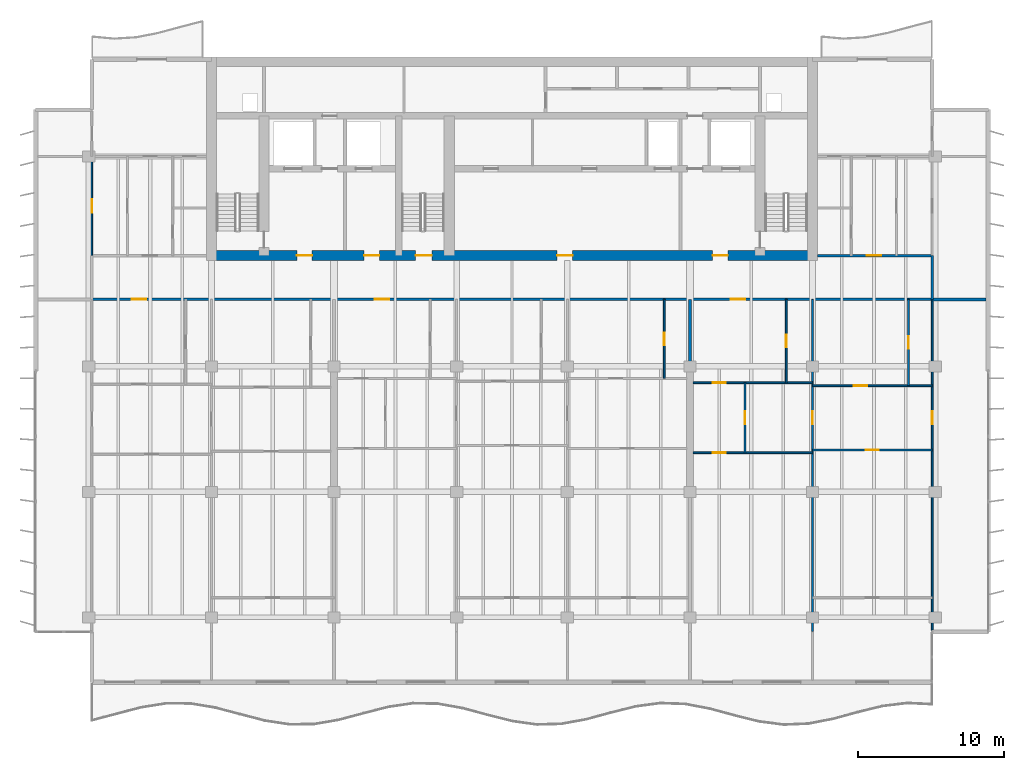
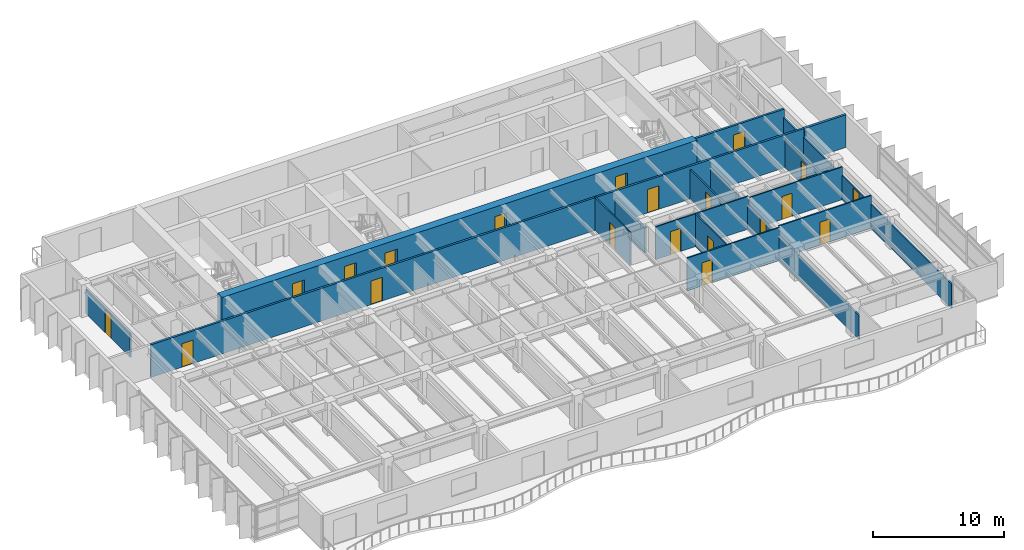
# One storey, part 10 of 17: 20 doors, 17 walls, 20 openings.
"""IFC4 building model written with IfcOpenShell, lengths in metres."""

from ifc_helpers import new_model, si_unit, direction, frame, frame_2d, origin, place, context, subcontext, project, spatial, rectangle, extrude, material, layer, layer_set, type_object, element, fill, save


model = new_model("IFC4")

# Units and contexts
model_context = context("Model", 3, precision=1e-05, world=origin(), true_north=direction((0.0, 1.0)))
body_context = subcontext(model_context, "Body", "Model", "MODEL_VIEW")
ifc_project = project(units=[si_unit("LENGTHUNIT", "METRE"), si_unit("AREAUNIT", "SQUARE_METRE"), si_unit("VOLUMEUNIT", "CUBIC_METRE"), si_unit("PLANEANGLEUNIT", "RADIAN"), si_unit("MASSUNIT", "GRAM", prefix="KILO")], contexts=[model_context])

# Site, building, storey
site_placement = place(None, origin())
site = spatial("IfcSite", under=ifc_project, at=site_placement, CompositionType="ELEMENT")
building_placement = place(site_placement, origin())
building = spatial("IfcBuilding", under=site, at=building_placement, Name="Caelmar Bay Residences", CompositionType="ELEMENT")
storey_placement = place(building_placement, frame((0.0, 0.0, 204.89990234375)))
storey = spatial("IfcBuildingStorey", under=building, at=storey_placement, Name="L57", CompositionType="ELEMENT", Elevation=204.89990234375)

# Wall, openings, doors
ifc_material_1 = material(Name="Concrete f'c 55 MPa (8,000 psi)", Category="concrete")
ifc_layer_1 = layer(ifc_material_1, 0.699951171875)
ifc_layer_set_1 = layer_set([ifc_layer_1], Name="Concrete f'c 55 MPa (8,000 psi)")
wall_type_1 = type_object("IfcWallType", Name="SW-COR-700", PredefinedType="SHEAR", material=ifc_layer_set_1)
wall_1_placement = place(storey_placement, frame((17.949951171875, 37.0, 0.0), z_axis=(0.0, 0.0, 1.0), x_axis=(1.0, 0.0, 0.0)))
wall_1 = element("IfcWall", 1, at=wall_1_placement, inside=storey, type_object=wall_type_1, Name="L57 Rear Core South Shear Wall", PredefinedType="SHEAR", context=body_context, shape_type="SweptSolid", body=[
    extrude(rectangle(XDim=41.900146484375, YDim=0.699951171875, at=frame_2d((20.9501953125, 0.0))), origin(), (0.0, 0.0, 1.0), 3.050048828125),
])
opening_1_placement = place(wall_1_placement, frame((14.35009765625, 0.0, 0.0)))
opening_1 = element("IfcOpeningElement", 2, at=opening_1_placement, cuts=wall_1, Name="Opening D-L57-105", PredefinedType="OPENING", context=body_context, shape_type="SweptSolid", body=[
    extrude(rectangle(XDim=1.10009765625, YDim=2.14990234375, at=frame_2d((0.550048828125, 1.074951171875))), frame((0.0, 0.35986328125, 0.0), z_axis=(0.0, -1.0, 0.0), x_axis=(1.0, 0.0, 0.0)), (0.0, 0.0, 1.0), 0.719970703125),
])
opening_2_placement = place(wall_1_placement, frame((6.199951171875, 0.0, 0.0)))
opening_2 = element("IfcOpeningElement", 3, at=opening_2_placement, cuts=wall_1, Name="Opening D-L57-106", PredefinedType="OPENING", context=body_context, shape_type="SweptSolid", body=[
    extrude(rectangle(XDim=1.050048828125, YDim=2.14990234375, at=frame_2d((0.52490234375, 1.074951171875))), frame((0.0, 0.35986328125, 0.0), z_axis=(0.0, -1.0, 0.0), x_axis=(1.0, 0.0, 0.0)), (0.0, 0.0, 1.0), 0.719970703125),
])
opening_3_placement = place(wall_1_placement, frame((34.699951171875, 0.0, 0.0)))
opening_3 = element("IfcOpeningElement", 4, at=opening_3_placement, cuts=wall_1, Name="Opening D-L57-109", PredefinedType="OPENING", context=body_context, shape_type="SweptSolid", body=[
    extrude(rectangle(XDim=1.050048828125, YDim=2.14990234375, at=frame_2d((0.52490234375, 1.074951171875))), frame((0.0, 0.35986328125, 0.0), z_axis=(0.0, -1.0, 0.0), x_axis=(1.0, 0.0, 0.0)), (0.0, 0.0, 1.0), 0.719970703125),
])
opening_4_placement = place(wall_1_placement, frame((10.8125, 0.0, 0.0)))
opening_4 = element("IfcOpeningElement", 5, at=opening_4_placement, cuts=wall_1, Name="Opening D-L57-112", PredefinedType="OPENING", context=body_context, shape_type="SweptSolid", body=[
    extrude(rectangle(XDim=1.050048828125, YDim=2.14990234375, at=frame_2d((0.52490234375, 1.074951171875))), frame((0.0, 0.35986328125, 0.0), z_axis=(0.0, -1.0, 0.0), x_axis=(1.0, 0.0, 0.0)), (0.0, 0.0, 1.0), 0.719970703125),
])
opening_5_placement = place(wall_1_placement, frame((24.050048828125, 0.0, 0.0)))
opening_5 = element("IfcOpeningElement", 6, at=opening_5_placement, cuts=wall_1, Name="Opening D-L57-113", PredefinedType="OPENING", context=body_context, shape_type="SweptSolid", body=[
    extrude(rectangle(XDim=1.050048828125, YDim=2.14990234375, at=frame_2d((0.52490234375, 1.074951171875))), frame((0.0, 0.35986328125, 0.0), z_axis=(0.0, -1.0, 0.0), x_axis=(1.0, 0.0, 0.0)), (0.0, 0.0, 1.0), 0.719970703125),
])
ifc_material_2 = material(Name="Fire-rated steel and walnut architectural door assembly", Category="steel")
ifc_layer_2 = layer(ifc_material_2, 0.050048828125)
ifc_layer_set_2 = layer_set([ifc_layer_2], Name="Fire-rated steel and walnut architectural door assembly")
door_type_1 = type_object("IfcDoorType", Name="D-FSAE-1050", OperationType="NOTDEFINED", PredefinedType="DOOR", material=ifc_layer_set_2)
door_1_placement = place(opening_2_placement, origin())
door_1 = element("IfcDoor", 7, at=door_1_placement, inside=storey, type_object=door_type_1, Name="L57 Firefighting Lobby West Door", OperationType="SINGLE_SWING_RIGHT", OverallHeight=2.14990234375, OverallWidth=1.050048828125, PredefinedType="DOOR", context=body_context, shape_type="SweptSolid", body=[
    extrude(rectangle(XDim=1.050048828125, YDim=2.14990234375, at=frame_2d((0.52490234375, 1.074951171875))), frame((0.0, 0.02490234375, 0.0), z_axis=(0.0, -1.0, 0.0), x_axis=(1.0, 0.0, 0.0)), (0.0, 0.0, 1.0), 0.050048828125),
])
fill(opening_2, door_1)
door_2_placement = place(opening_3_placement, origin())
door_2 = element("IfcDoor", 8, at=door_2_placement, inside=storey, type_object=door_type_1, Name="L57 Firefighting Lobby East Door", OperationType="SINGLE_SWING_LEFT", OverallHeight=2.14990234375, OverallWidth=1.050048828125, PredefinedType="DOOR", context=body_context, shape_type="SweptSolid", body=[
    extrude(rectangle(XDim=1.050048828125, YDim=2.14990234375, at=frame_2d((0.52490234375, 1.074951171875))), frame((0.0, 0.02490234375, 0.0), z_axis=(0.0, -1.0, 0.0), x_axis=(1.0, 0.0, 0.0)), (0.0, 0.0, 1.0), 0.050048828125),
])
fill(opening_3, door_2)
door_3_placement = place(opening_4_placement, origin())
door_3 = element("IfcDoor", 9, at=door_3_placement, inside=storey, type_object=door_type_1, Name="L57 West Lift Lobby Door", OperationType="SINGLE_SWING_RIGHT", OverallHeight=2.14990234375, OverallWidth=1.050048828125, PredefinedType="DOOR", context=body_context, shape_type="SweptSolid", body=[
    extrude(rectangle(XDim=1.050048828125, YDim=2.14990234375, at=frame_2d((0.52490234375, 1.074951171875))), frame((0.0, 0.02490234375, 0.0), z_axis=(0.0, -1.0, 0.0), x_axis=(1.0, 0.0, 0.0)), (0.0, 0.0, 1.0), 0.050048828125),
])
fill(opening_4, door_3)
door_4_placement = place(opening_5_placement, origin())
door_4 = element("IfcDoor", 10, at=door_4_placement, inside=storey, type_object=door_type_1, Name="L57 Passenger Lift Lobby Door", OperationType="SINGLE_SWING_LEFT", OverallHeight=2.14990234375, OverallWidth=1.050048828125, PredefinedType="DOOR", context=body_context, shape_type="SweptSolid", body=[
    extrude(rectangle(XDim=1.050048828125, YDim=2.14990234375, at=frame_2d((0.52490234375, 1.074951171875))), frame((0.0, 0.02490234375, 0.0), z_axis=(0.0, -1.0, 0.0), x_axis=(1.0, 0.0, 0.0)), (0.0, 0.0, 1.0), 0.050048828125),
])
fill(opening_5, door_4)
ifc_layer_3 = layer(ifc_material_2, 0.050048828125)
ifc_layer_set_3 = layer_set([ifc_layer_3], Name="Fire-rated steel and walnut architectural door assembly")
door_type_2 = type_object("IfcDoorType", Name="D-STAIR-1100", OperationType="NOTDEFINED", PredefinedType="DOOR", material=ifc_layer_set_3)
door_5_placement = place(opening_1_placement, origin())
door_5 = element("IfcDoor", 11, at=door_5_placement, inside=storey, type_object=door_type_2, Name="L57 Exit Stair ST3 Door", OperationType="SINGLE_SWING_LEFT", OverallHeight=2.14990234375, OverallWidth=1.10009765625, PredefinedType="DOOR", context=body_context, shape_type="SweptSolid", body=[
    extrude(rectangle(XDim=1.10009765625, YDim=2.14990234375, at=frame_2d((0.550048828125, 1.074951171875))), frame((0.0, 0.02490234375, 0.0), z_axis=(0.0, -1.0, 0.0), x_axis=(1.0, 0.0, 0.0)), (0.0, 0.0, 1.0), 0.050048828125),
])
fill(opening_1, door_5)

# Wall
ifc_material_3 = material(Name="Double-stud acoustic fire-rated gypsum partition 180 mm")
ifc_layer_4 = layer(ifc_material_3, 0.179931640625)
ifc_layer_set_4 = layer_set([ifc_layer_4], Name="Double-stud acoustic fire-rated gypsum partition 180 mm")
wall_type_2 = type_object("IfcWallType", Name="W-COR-200", PredefinedType="PARTITIONING", material=ifc_layer_set_4)
wall_2_placement = place(storey_placement, frame((67.699951171875, 34.0048828125, 0.0), z_axis=(0.0, 0.0, 1.0), x_axis=(0.0, 1.0, 0.0)))
element("IfcWall", 12, at=wall_2_placement, inside=storey, type_object=wall_type_2, Name="L57 Partition Wall V047", PredefinedType="PARTITIONING", context=body_context, shape_type="SweptSolid", body=[
    extrude(rectangle(XDim=2.9951171875, YDim=0.179931640625, at=frame_2d((1.49755859375, 0.0))), origin(), (0.0, 0.0, 1.0), 2.26318359375),
])

# Wall, openings, doors
wall_3_placement = place(storey_placement, frame((10.10498046875, 34.0, 0.0), z_axis=(0.0, 0.0, 1.0), x_axis=(1.0, 0.0, 0.0)))
wall_3 = element("IfcWall", 13, at=wall_3_placement, inside=storey, type_object=wall_type_2, Name="L57 Partition Wall H068", PredefinedType="PARTITIONING", context=body_context, shape_type="SweptSolid", body=[
    extrude(rectangle(XDim=57.594970703125, YDim=0.179931640625, at=frame_2d((28.79736328125, 0.0))), origin(), (0.0, 0.0, 1.0), 3.050048828125),
])
opening_6_placement = place(wall_3_placement, frame((2.71240234375, 0.0, 0.0)))
opening_6 = element("IfcOpeningElement", 14, at=opening_6_placement, cuts=wall_3, Name="Opening D-L57-122", PredefinedType="OPENING", context=body_context, shape_type="SweptSolid", body=[
    extrude(rectangle(XDim=1.0, YDim=2.199951171875, at=frame_2d((0.5, 1.10009765625))), frame((0.0, 0.099853515625, 0.0), z_axis=(0.0, -1.0, 0.0), x_axis=(1.0, 0.0, 0.0)), (0.0, 0.0, 1.0), 0.199951171875),
])
opening_7_placement = place(wall_3_placement, frame((19.39111328125, 0.0, 0.0)))
opening_7 = element("IfcOpeningElement", 15, at=opening_7_placement, cuts=wall_3, Name="Opening D-L57-131", PredefinedType="OPENING", context=body_context, shape_type="SweptSolid", body=[
    extrude(rectangle(XDim=1.0, YDim=2.199951171875, at=frame_2d((0.5, 1.10009765625))), frame((0.0, 0.099853515625, 0.0), z_axis=(0.0, -1.0, 0.0), x_axis=(1.0, 0.0, 0.0)), (0.0, 0.0, 1.0), 0.199951171875),
])
opening_8_placement = place(wall_3_placement, frame((43.79443359375, 0.0, 0.0)))
opening_8 = element("IfcOpeningElement", 16, at=opening_8_placement, cuts=wall_3, Name="Opening D-L57-146", PredefinedType="OPENING", context=body_context, shape_type="SweptSolid", body=[
    extrude(rectangle(XDim=1.0, YDim=2.199951171875, at=frame_2d((0.5, 1.10009765625))), frame((0.0, 0.099853515625, 0.0), z_axis=(0.0, -1.0, 0.0), x_axis=(1.0, 0.0, 0.0)), (0.0, 0.0, 1.0), 0.199951171875),
])
ifc_layer_5 = layer(ifc_material_2, 0.050048828125)
ifc_layer_set_5 = layer_set([ifc_layer_5], Name="Fire-rated steel and walnut architectural door assembly")
door_type_3 = type_object("IfcDoorType", Name="D-UNIT-1000", OperationType="NOTDEFINED", PredefinedType="DOOR", material=ifc_layer_set_5)
door_6_placement = place(opening_6_placement, origin())
door_6 = element("IfcDoor", 17, at=door_6_placement, inside=storey, type_object=door_type_3, Name="L57 Residence 01 Apartment Hall Door", OperationType="SINGLE_SWING_RIGHT", OverallHeight=2.199951171875, OverallWidth=1.0, PredefinedType="DOOR", context=body_context, shape_type="SweptSolid", body=[
    extrude(rectangle(XDim=1.0, YDim=2.199951171875, at=frame_2d((0.5, 1.10009765625))), frame((0.0, 0.02490234375, 0.0), z_axis=(0.0, -1.0, 0.0), x_axis=(1.0, 0.0, 0.0)), (0.0, 0.0, 1.0), 0.050048828125),
])
fill(opening_6, door_6)
door_7_placement = place(opening_7_placement, origin())
door_7 = element("IfcDoor", 18, at=door_7_placement, inside=storey, type_object=door_type_3, Name="L57 Residence 02 Apartment Hall Door", OperationType="SINGLE_SWING_LEFT", OverallHeight=2.199951171875, OverallWidth=1.0, PredefinedType="DOOR", context=body_context, shape_type="SweptSolid", body=[
    extrude(rectangle(XDim=1.0, YDim=2.199951171875, at=frame_2d((0.5, 1.10009765625))), frame((0.0, 0.02490234375, 0.0), z_axis=(0.0, -1.0, 0.0), x_axis=(1.0, 0.0, 0.0)), (0.0, 0.0, 1.0), 0.050048828125),
])
fill(opening_7, door_7)
door_8_placement = place(opening_8_placement, origin())
door_8 = element("IfcDoor", 19, at=door_8_placement, inside=storey, type_object=door_type_3, Name="L57 Residence 03 Apartment Hall Door", OperationType="SINGLE_SWING_RIGHT", OverallHeight=2.199951171875, OverallWidth=1.0, PredefinedType="DOOR", context=body_context, shape_type="SweptSolid", body=[
    extrude(rectangle(XDim=1.0, YDim=2.199951171875, at=frame_2d((0.5, 1.10009765625))), frame((0.0, 0.02490234375, 0.0), z_axis=(0.0, -1.0, 0.0), x_axis=(1.0, 0.0, 0.0)), (0.0, 0.0, 1.0), 0.050048828125),
])
fill(opening_8, door_8)

# Wall, opening, door
wall_4_placement = place(storey_placement, frame((59.85498046875, 37.0, 0.0), z_axis=(0.0, 0.0, 1.0), x_axis=(1.0, 0.0, 0.0)))
wall_4 = element("IfcWall", 20, at=wall_4_placement, inside=storey, type_object=wall_type_2, Name="L57 Partition Wall H071", PredefinedType="PARTITIONING", context=body_context, shape_type="SweptSolid", body=[
    extrude(rectangle(XDim=7.844970703125, YDim=0.179931640625, at=frame_2d((3.92236328125, 0.0))), origin(), (0.0, 0.0, 1.0), 3.050048828125),
])
opening_9_placement = place(wall_4_placement, frame((3.34912109375, 0.0, 0.0)))
opening_9 = element("IfcOpeningElement", 21, at=opening_9_placement, cuts=wall_4, Name="Opening D-L57-166", PredefinedType="OPENING", context=body_context, shape_type="SweptSolid", body=[
    extrude(rectangle(XDim=1.0, YDim=2.199951171875, at=frame_2d((0.5, 1.10009765625))), frame((0.0, 0.099853515625, 0.0), z_axis=(0.0, -1.0, 0.0), x_axis=(1.0, 0.0, 0.0)), (0.0, 0.0, 1.0), 0.199951171875),
])
door_9_placement = place(opening_9_placement, origin())
door_9 = element("IfcDoor", 22, at=door_9_placement, inside=storey, type_object=door_type_3, Name="L57 Residence EA Kitchen Door", OperationType="SINGLE_SWING_RIGHT", OverallHeight=2.199951171875, OverallWidth=1.0, PredefinedType="DOOR", context=body_context, shape_type="SweptSolid", body=[
    extrude(rectangle(XDim=1.0, YDim=2.199951171875, at=frame_2d((0.5, 1.10009765625))), frame((0.0, 0.02490234375, 0.0), z_axis=(0.0, -1.0, 0.0), x_axis=(1.0, 0.0, 0.0)), (0.0, 0.0, 1.0), 0.050048828125),
])
fill(opening_9, door_9)

ifc_material_4 = material(Name="Anodised bronze framed acoustic sliding study partition 100 mm")
ifc_layer_6 = layer(ifc_material_4, 0.10009765625)
ifc_layer_set_6 = layer_set([ifc_layer_6], Name="Anodised bronze framed acoustic sliding study partition 100 mm")
wall_type_3 = type_object("IfcWallType", Name="W-MOV-100", PredefinedType="MOVABLE", material=ifc_layer_set_6)
wall_5_placement = place(storey_placement, frame((10.10009765625, 37.0048828125, 0.0), z_axis=(0.0, 0.0, 1.0), x_axis=(0.0, 1.0, 0.0)))
wall_5 = element("IfcWall", 23, at=wall_5_placement, inside=storey, type_object=wall_type_3, Name="L57 Partition Wall V003", PredefinedType="MOVABLE", context=body_context, shape_type="SweptSolid", body=[
    extrude(rectangle(XDim=6.795166015625, YDim=0.10009765625, at=frame_2d((3.3974609375, 0.0))), origin(), (0.0, 0.0, 1.0), 2.26318359375),
])
opening_10_placement = place(wall_5_placement, frame((2.947509765625, 0.0, 0.0)))
opening_10 = element("IfcOpeningElement", 24, at=opening_10_placement, cuts=wall_5, Name="Opening D-L57-163", PredefinedType="OPENING", context=body_context, shape_type="SweptSolid", body=[
    extrude(rectangle(XDim=0.89990234375, YDim=2.14990234375, at=frame_2d((0.449951171875, 1.074951171875))), frame((0.0, 0.06005859375, 0.0), z_axis=(0.0, -1.0, 0.0), x_axis=(1.0, 0.0, 0.0)), (0.0, 0.0, 1.0), 0.1201171875),
])
ifc_material_5 = material(Name="Solid walnut timber interior door leaf and frame", Category="wood")
ifc_layer_7 = layer(ifc_material_5, 0.050048828125)
ifc_layer_set_7 = layer_set([ifc_layer_7], Name="Solid walnut timber interior door leaf and frame")
door_type_4 = type_object("IfcDoorType", Name="D-ROOM-900", OperationType="NOTDEFINED", PredefinedType="DOOR", material=ifc_layer_set_7)
door_10_placement = place(opening_10_placement, origin())
door_10 = element("IfcDoor", 25, at=door_10_placement, inside=storey, type_object=door_type_4, Name="L57 Residence WA Sun Study Door", OperationType="SINGLE_SWING_LEFT", OverallHeight=2.14990234375, OverallWidth=0.89990234375, PredefinedType="DOOR", context=body_context, shape_type="SweptSolid", body=[
    extrude(rectangle(XDim=0.89990234375, YDim=2.14990234375, at=frame_2d((0.449951171875, 1.074951171875))), frame((0.0, 0.02490234375, 0.0), z_axis=(0.0, -1.0, 0.0), x_axis=(1.0, 0.0, 0.0)), (0.0, 0.0, 1.0), 0.050048828125),
])
fill(opening_10, door_10)

ifc_material_6 = material(Name="Acoustic metal-stud gypsum partition 120 mm")
ifc_layer_8 = layer(ifc_material_6, 0.1201171875)
ifc_layer_set_8 = layer_set([ifc_layer_8], Name="Acoustic metal-stud gypsum partition 120 mm")
wall_type_4 = type_object("IfcWallType", Name="W-PRT-120", PredefinedType="PARTITIONING", material=ifc_layer_set_8)
wall_6_placement = place(storey_placement, frame((49.3291015625, 28.580078125, 0.0), z_axis=(0.0, 0.0, 1.0), x_axis=(0.0, 1.0, 0.0)))
wall_6 = element("IfcWall", 26, at=wall_6_placement, inside=storey, type_object=wall_type_4, Name="L57 Partition Wall V030", PredefinedType="PARTITIONING", context=body_context, shape_type="SweptSolid", body=[
    extrude(rectangle(XDim=5.419921875, YDim=0.1201171875, at=frame_2d((2.7099609375, 0.0))), origin(), (0.0, 0.0, 1.0), 3.050048828125),
])
opening_11_placement = place(wall_6_placement, frame((2.284912109375, 0.0, 0.0)))
opening_11 = element("IfcOpeningElement", 27, at=opening_11_placement, cuts=wall_6, Name="Opening D-L57-143", PredefinedType="OPENING", context=body_context, shape_type="SweptSolid", body=[
    extrude(rectangle(XDim=0.85009765625, YDim=2.10009765625, at=frame_2d((0.425048828125, 1.050048828125))), frame((0.0, 0.070068359375, 0.0), z_axis=(0.0, -1.0, 0.0), x_axis=(1.0, 0.0, 0.0)), (0.0, 0.0, 1.0), 0.14013671875),
])
ifc_layer_9 = layer(ifc_material_5, 0.050048828125)
ifc_layer_set_9 = layer_set([ifc_layer_9], Name="Solid walnut timber interior door leaf and frame")
door_type_5 = type_object("IfcDoorType", Name="D-BATH-850", OperationType="NOTDEFINED", PredefinedType="DOOR", material=ifc_layer_set_9)
door_11_placement = place(opening_11_placement, origin())
door_11 = element("IfcDoor", 28, at=door_11_placement, inside=storey, type_object=door_type_5, Name="L57 Residence 02 En-Suite Bathroom 2 Door", OperationType="SINGLE_SWING_LEFT", OverallHeight=2.10009765625, OverallWidth=0.85009765625, PredefinedType="DOOR", context=body_context, shape_type="SweptSolid", body=[
    extrude(rectangle(XDim=0.85009765625, YDim=2.10009765625, at=frame_2d((0.425048828125, 1.050048828125))), frame((0.0, 0.02490234375, 0.0), z_axis=(0.0, -1.0, 0.0), x_axis=(1.0, 0.0, 0.0)), (0.0, 0.0, 1.0), 0.050048828125),
])
fill(opening_11, door_11)

wall_7_placement = place(storey_placement, frame((54.8798828125, 23.47998046875, 0.0), z_axis=(0.0, 0.0, 1.0), x_axis=(0.0, 1.0, 0.0)))
wall_7 = element("IfcWall", 29, at=wall_7_placement, inside=storey, type_object=wall_type_4, Name="L57 Partition Wall V038", PredefinedType="PARTITIONING", context=body_context, shape_type="SweptSolid", body=[
    extrude(rectangle(XDim=4.800048828125, YDim=0.1201171875, at=frame_2d((2.39990234375, 0.0))), origin(), (0.0, 0.0, 1.0), 3.050048828125),
])
opening_12_placement = place(wall_7_placement, frame((1.949951171875, 0.0, 0.0)))
opening_12 = element("IfcOpeningElement", 30, at=opening_12_placement, cuts=wall_7, Name="Opening D-L57-149", PredefinedType="OPENING", context=body_context, shape_type="SweptSolid", body=[
    extrude(rectangle(XDim=0.89990234375, YDim=2.14990234375, at=frame_2d((0.449951171875, 1.074951171875))), frame((0.0, 0.070068359375, 0.0), z_axis=(0.0, -1.0, 0.0), x_axis=(1.0, 0.0, 0.0)), (0.0, 0.0, 1.0), 0.14013671875),
])
door_12_placement = place(opening_12_placement, origin())
door_12 = element("IfcDoor", 31, at=door_12_placement, inside=storey, type_object=door_type_4, Name="L57 Residence 03 Kitchen Door", OperationType="SINGLE_SWING_LEFT", OverallHeight=2.14990234375, OverallWidth=0.89990234375, PredefinedType="DOOR", context=body_context, shape_type="SweptSolid", body=[
    extrude(rectangle(XDim=0.89990234375, YDim=2.14990234375, at=frame_2d((0.449951171875, 1.074951171875))), frame((0.0, 0.02490234375, 0.0), z_axis=(0.0, -1.0, 0.0), x_axis=(1.0, 0.0, 0.0)), (0.0, 0.0, 1.0), 0.050048828125),
])
fill(opening_12, door_12)

wall_8_placement = place(storey_placement, frame((57.698974609375, 28.280029296875, 0.0), z_axis=(0.0, 0.0, 1.0), x_axis=(0.0, 1.0, 0.0)))
wall_8 = element("IfcWall", 32, at=wall_8_placement, inside=storey, type_object=wall_type_4, Name="L57 Partition Wall V040", PredefinedType="PARTITIONING", context=body_context, shape_type="SweptSolid", body=[
    extrude(rectangle(XDim=5.719970703125, YDim=0.1201171875, at=frame_2d((2.85986328125, 0.0))), origin(), (0.0, 0.0, 1.0), 2.72509765625),
])
opening_13_placement = place(wall_8_placement, frame((2.43505859375, 0.0, 0.0)))
opening_13 = element("IfcOpeningElement", 33, at=opening_13_placement, cuts=wall_8, Name="Opening D-L57-147", PredefinedType="OPENING", context=body_context, shape_type="SweptSolid", body=[
    extrude(rectangle(XDim=0.85009765625, YDim=2.10009765625, at=frame_2d((0.425048828125, 1.050048828125))), frame((0.0, 0.070068359375, 0.0), z_axis=(0.0, -1.0, 0.0), x_axis=(1.0, 0.0, 0.0)), (0.0, 0.0, 1.0), 0.14013671875),
])
door_13_placement = place(opening_13_placement, origin())
door_13 = element("IfcDoor", 34, at=door_13_placement, inside=storey, type_object=door_type_5, Name="L57 Residence 03 Guest Bathroom Door", OperationType="SINGLE_SWING_LEFT", OverallHeight=2.10009765625, OverallWidth=0.85009765625, PredefinedType="DOOR", context=body_context, shape_type="SweptSolid", body=[
    extrude(rectangle(XDim=0.85009765625, YDim=2.10009765625, at=frame_2d((0.425048828125, 1.050048828125))), frame((0.0, 0.02490234375, 0.0), z_axis=(0.0, -1.0, 0.0), x_axis=(1.0, 0.0, 0.0)), (0.0, 0.0, 1.0), 0.050048828125),
])
fill(opening_13, door_13)

wall_9_placement = place(storey_placement, frame((59.5, 11.239990234375, 0.0), z_axis=(0.0, 0.0, 1.0), x_axis=(0.0, 1.0, 0.0)))
wall_9 = element("IfcWall", 35, at=wall_9_placement, inside=storey, type_object=wall_type_4, Name="L57 Partition Wall V042", PredefinedType="PARTITIONING", context=body_context, shape_type="SweptSolid", body=[
    extrude(rectangle(XDim=22.760009765625, YDim=0.1201171875, at=frame_2d((11.3798828125, 0.0))), origin(), (0.0, 0.0, 1.0), 2.26318359375),
])
opening_14_placement = place(wall_9_placement, frame((14.18994140625, 0.0, 0.0)))
opening_14 = element("IfcOpeningElement", 36, at=opening_14_placement, cuts=wall_9, Name="Opening D-L57-151", PredefinedType="OPENING", context=body_context, shape_type="SweptSolid", body=[
    extrude(rectangle(XDim=0.89990234375, YDim=2.14990234375, at=frame_2d((0.449951171875, 1.074951171875))), frame((0.0, 0.070068359375, 0.0), z_axis=(0.0, -1.0, 0.0), x_axis=(1.0, 0.0, 0.0)), (0.0, 0.0, 1.0), 0.14013671875),
])
door_14_placement = place(opening_14_placement, origin())
door_14 = element("IfcDoor", 37, at=door_14_placement, inside=storey, type_object=door_type_4, Name="L57 Residence 03 Reception Lounge 1 Door", OperationType="SINGLE_SWING_LEFT", OverallHeight=2.14990234375, OverallWidth=0.89990234375, PredefinedType="DOOR", context=body_context, shape_type="SweptSolid", body=[
    extrude(rectangle(XDim=0.89990234375, YDim=2.14990234375, at=frame_2d((0.449951171875, 1.074951171875))), frame((0.0, 0.02490234375, 0.0), z_axis=(0.0, -1.0, 0.0), x_axis=(1.0, 0.0, 0.0)), (0.0, 0.0, 1.0), 0.050048828125),
])
fill(opening_14, door_14)

wall_10_placement = place(storey_placement, frame((66.077880859375, 28.080078125, 0.0), z_axis=(0.0, 0.0, 1.0), x_axis=(0.0, 1.0, 0.0)))
wall_10 = element("IfcWall", 38, at=wall_10_placement, inside=storey, type_object=wall_type_4, Name="L57 Partition Wall V045", PredefinedType="PARTITIONING", context=body_context, shape_type="SweptSolid", body=[
    extrude(rectangle(XDim=5.919921875, YDim=0.1201171875, at=frame_2d((2.9599609375, 0.0))), origin(), (0.0, 0.0, 1.0), 2.72509765625),
])
opening_15_placement = place(wall_10_placement, frame((2.534912109375, 0.0, 0.0)))
opening_15 = element("IfcOpeningElement", 39, at=opening_15_placement, cuts=wall_10, Name="Opening D-L57-153", PredefinedType="OPENING", context=body_context, shape_type="SweptSolid", body=[
    extrude(rectangle(XDim=0.85009765625, YDim=2.10009765625, at=frame_2d((0.425048828125, 1.050048828125))), frame((0.0, 0.070068359375, 0.0), z_axis=(0.0, -1.0, 0.0), x_axis=(1.0, 0.0, 0.0)), (0.0, 0.0, 1.0), 0.14013671875),
])
door_15_placement = place(opening_15_placement, origin())
door_15 = element("IfcDoor", 40, at=door_15_placement, inside=storey, type_object=door_type_5, Name="L57 Residence 03 En-Suite Bathroom 1 Door", OperationType="SINGLE_SWING_LEFT", OverallHeight=2.10009765625, OverallWidth=0.85009765625, PredefinedType="DOOR", context=body_context, shape_type="SweptSolid", body=[
    extrude(rectangle(XDim=0.85009765625, YDim=2.10009765625, at=frame_2d((0.425048828125, 1.050048828125))), frame((0.0, 0.02490234375, 0.0), z_axis=(0.0, -1.0, 0.0), x_axis=(1.0, 0.0, 0.0)), (0.0, 0.0, 1.0), 0.050048828125),
])
fill(opening_15, door_15)

wall_11_placement = place(storey_placement, frame((67.699951171875, 11.320068359375, 0.0), z_axis=(0.0, 0.0, 1.0), x_axis=(0.0, 1.0, 0.0)))
wall_11 = element("IfcWall", 41, at=wall_11_placement, inside=storey, type_object=wall_type_4, Name="L57 Partition Wall V046", PredefinedType="PARTITIONING", context=body_context, shape_type="SweptSolid", body=[
    extrude(rectangle(XDim=22.679931640625, YDim=0.1201171875, at=frame_2d((11.33984375, 0.0))), origin(), (0.0, 0.0, 1.0), 2.26318359375),
])
opening_16_placement = place(wall_11_placement, frame((14.110107421875, 0.0, 0.0)))
opening_16 = element("IfcOpeningElement", 42, at=opening_16_placement, cuts=wall_11, Name="Opening D-L57-157", PredefinedType="OPENING", context=body_context, shape_type="SweptSolid", body=[
    extrude(rectangle(XDim=0.89990234375, YDim=2.14990234375, at=frame_2d((0.449951171875, 1.074951171875))), frame((0.0, 0.070068359375, 0.0), z_axis=(0.0, -1.0, 0.0), x_axis=(1.0, 0.0, 0.0)), (0.0, 0.0, 1.0), 0.14013671875),
])
door_16_placement = place(opening_16_placement, origin())
door_16 = element("IfcDoor", 43, at=door_16_placement, inside=storey, type_object=door_type_4, Name="L57 Residence 03 Penthouse East Salon Door", OperationType="SINGLE_SWING_LEFT", OverallHeight=2.14990234375, OverallWidth=0.89990234375, PredefinedType="DOOR", context=body_context, shape_type="SweptSolid", body=[
    extrude(rectangle(XDim=0.89990234375, YDim=2.14990234375, at=frame_2d((0.449951171875, 1.074951171875))), frame((0.0, 0.02490234375, 0.0), z_axis=(0.0, -1.0, 0.0), x_axis=(1.0, 0.0, 0.0)), (0.0, 0.0, 1.0), 0.050048828125),
])
fill(opening_16, door_16)

wall_12_placement = place(storey_placement, frame((51.320068359375, 23.47998046875, 0.0), z_axis=(0.0, 0.0, 1.0), x_axis=(1.0, 0.0, 0.0)))
wall_12 = element("IfcWall", 44, at=wall_12_placement, inside=storey, type_object=wall_type_4, Name="L57 Partition Wall H054", PredefinedType="PARTITIONING", context=body_context, shape_type="SweptSolid", body=[
    extrude(rectangle(XDim=8.179931640625, YDim=0.1201171875, at=frame_2d((4.08984375, 0.0))), origin(), (0.0, 0.0, 1.0), 3.050048828125),
])
opening_17_placement = place(wall_12_placement, frame((1.330078125, 0.0, 0.0)))
opening_17 = element("IfcOpeningElement", 45, at=opening_17_placement, cuts=wall_12, Name="Opening D-L57-150", PredefinedType="OPENING", context=body_context, shape_type="SweptSolid", body=[
    extrude(rectangle(XDim=0.89990234375, YDim=2.14990234375, at=frame_2d((0.449951171875, 1.074951171875))), frame((0.0, 0.070068359375, 0.0), z_axis=(0.0, -1.0, 0.0), x_axis=(1.0, 0.0, 0.0)), (0.0, 0.0, 1.0), 0.14013671875),
])
door_17_placement = place(opening_17_placement, origin())
door_17 = element("IfcDoor", 46, at=door_17_placement, inside=storey, type_object=door_type_4, Name="L57 Residence 03 Penthouse Living Salon Door", OperationType="SINGLE_SWING_RIGHT", OverallHeight=2.14990234375, OverallWidth=0.89990234375, PredefinedType="DOOR", context=body_context, shape_type="SweptSolid", body=[
    extrude(rectangle(XDim=0.89990234375, YDim=2.14990234375, at=frame_2d((0.449951171875, 1.074951171875))), frame((0.0, 0.02490234375, 0.0), z_axis=(0.0, -1.0, 0.0), x_axis=(1.0, 0.0, 0.0)), (0.0, 0.0, 1.0), 0.050048828125),
])
fill(opening_17, door_17)

wall_13_placement = place(storey_placement, frame((59.5048828125, 23.679931640625, 0.0), z_axis=(0.0, 0.0, 1.0), x_axis=(1.0, 0.0, 0.0)))
wall_13 = element("IfcWall", 47, at=wall_13_placement, inside=storey, type_object=wall_type_4, Name="L57 Partition Wall H056", PredefinedType="PARTITIONING", context=body_context, shape_type="SweptSolid", body=[
    extrude(rectangle(XDim=8.195068359375, YDim=0.1201171875, at=frame_2d((4.09765625, 0.0))), origin(), (0.0, 0.0, 1.0), 3.050048828125),
])
opening_18_placement = place(wall_13_placement, frame((3.6474609375, 0.0, 0.0)))
opening_18 = element("IfcOpeningElement", 48, at=opening_18_placement, cuts=wall_13, Name="Opening D-L57-154", PredefinedType="OPENING", context=body_context, shape_type="SweptSolid", body=[
    extrude(rectangle(XDim=0.89990234375, YDim=2.14990234375, at=frame_2d((0.449951171875, 1.074951171875))), frame((0.0, 0.070068359375, 0.0), z_axis=(0.0, -1.0, 0.0), x_axis=(1.0, 0.0, 0.0)), (0.0, 0.0, 1.0), 0.14013671875),
])
door_18_placement = place(opening_18_placement, origin())
door_18 = element("IfcDoor", 49, at=door_18_placement, inside=storey, type_object=door_type_4, Name="L57 Residence 03 Penthouse Sitting Salon 1 Door", OperationType="SINGLE_SWING_RIGHT", OverallHeight=2.14990234375, OverallWidth=0.89990234375, PredefinedType="DOOR", context=body_context, shape_type="SweptSolid", body=[
    extrude(rectangle(XDim=0.89990234375, YDim=2.14990234375, at=frame_2d((0.449951171875, 1.074951171875))), frame((0.0, 0.02490234375, 0.0), z_axis=(0.0, -1.0, 0.0), x_axis=(1.0, 0.0, 0.0)), (0.0, 0.0, 1.0), 0.050048828125),
])
fill(opening_18, door_18)

wall_14_placement = place(storey_placement, frame((59.5, 28.080078125, 0.0), z_axis=(0.0, 0.0, 1.0), x_axis=(1.0, 0.0, 0.0)))
wall_14 = element("IfcWall", 50, at=wall_14_placement, inside=storey, type_object=wall_type_4, Name="L57 Partition Wall H061", PredefinedType="PARTITIONING", context=body_context, shape_type="SweptSolid", body=[
    extrude(rectangle(XDim=8.199951171875, YDim=0.1201171875, at=frame_2d((4.10009765625, 0.0))), origin(), (0.0, 0.0, 1.0), 3.050048828125),
])
opening_19_placement = place(wall_14_placement, frame((2.839111328125, 0.0, 0.0)))
opening_19 = element("IfcOpeningElement", 51, at=opening_19_placement, cuts=wall_14, Name="Opening D-L57-152", PredefinedType="OPENING", context=body_context, shape_type="SweptSolid", body=[
    extrude(rectangle(XDim=0.89990234375, YDim=2.14990234375, at=frame_2d((0.449951171875, 1.074951171875))), frame((0.0, 0.070068359375, 0.0), z_axis=(0.0, -1.0, 0.0), x_axis=(1.0, 0.0, 0.0)), (0.0, 0.0, 1.0), 0.14013671875),
])
door_19_placement = place(opening_19_placement, origin())
door_19 = element("IfcDoor", 52, at=door_19_placement, inside=storey, type_object=door_type_4, Name="L57 Residence 03 Private Reception Room 1 Door", OperationType="SINGLE_SWING_RIGHT", OverallHeight=2.14990234375, OverallWidth=0.89990234375, PredefinedType="DOOR", context=body_context, shape_type="SweptSolid", body=[
    extrude(rectangle(XDim=0.89990234375, YDim=2.14990234375, at=frame_2d((0.449951171875, 1.074951171875))), frame((0.0, 0.02490234375, 0.0), z_axis=(0.0, -1.0, 0.0), x_axis=(1.0, 0.0, 0.0)), (0.0, 0.0, 1.0), 0.050048828125),
])
fill(opening_19, door_19)

wall_15_placement = place(storey_placement, frame((51.320068359375, 28.280029296875, 0.0), z_axis=(0.0, 0.0, 1.0), x_axis=(1.0, 0.0, 0.0)))
wall_15 = element("IfcWall", 53, at=wall_15_placement, inside=storey, type_object=wall_type_4, Name="L57 Partition Wall H063", PredefinedType="PARTITIONING", context=body_context, shape_type="SweptSolid", body=[
    extrude(rectangle(XDim=8.179931640625, YDim=0.1201171875, at=frame_2d((4.08984375, 0.0))), origin(), (0.0, 0.0, 1.0), 3.050048828125),
])
opening_20_placement = place(wall_15_placement, frame((1.330078125, 0.0, 0.0)))
opening_20 = element("IfcOpeningElement", 54, at=opening_20_placement, cuts=wall_15, Name="Opening D-L57-148", PredefinedType="OPENING", context=body_context, shape_type="SweptSolid", body=[
    extrude(rectangle(XDim=0.89990234375, YDim=2.14990234375, at=frame_2d((0.449951171875, 1.074951171875))), frame((0.0, 0.070068359375, 0.0), z_axis=(0.0, -1.0, 0.0), x_axis=(1.0, 0.0, 0.0)), (0.0, 0.0, 1.0), 0.14013671875),
])
door_20_placement = place(opening_20_placement, origin())
door_20 = element("IfcDoor", 55, at=door_20_placement, inside=storey, type_object=door_type_4, Name="L57 Residence 03 Dining Room Door", OperationType="SINGLE_SWING_RIGHT", OverallHeight=2.14990234375, OverallWidth=0.89990234375, PredefinedType="DOOR", context=body_context, shape_type="SweptSolid", body=[
    extrude(rectangle(XDim=0.89990234375, YDim=2.14990234375, at=frame_2d((0.449951171875, 1.074951171875))), frame((0.0, 0.02490234375, 0.0), z_axis=(0.0, -1.0, 0.0), x_axis=(1.0, 0.0, 0.0)), (0.0, 0.0, 1.0), 0.050048828125),
])
fill(opening_20, door_20)

# Walls
ifc_material_7 = material(Name="Acoustic twin-stud fire-rated inter-tenancy partition 200 mm")
ifc_layer_10 = layer(ifc_material_7, 0.199951171875)
ifc_layer_set_10 = layer_set([ifc_layer_10], Name="Acoustic twin-stud fire-rated inter-tenancy partition 200 mm")
wall_type_5 = type_object("IfcWallType", Name="W-PTY-200", PredefinedType="PARTITIONING", material=ifc_layer_set_10)
wall_16_placement = place(storey_placement, frame((51.10009765625, 29.405029296875, 0.0), z_axis=(0.0, 0.0, 1.0), x_axis=(0.0, 1.0, 0.0)))
element("IfcWall", 56, at=wall_16_placement, inside=storey, type_object=wall_type_5, Name="L57 Partition Wall V036", PredefinedType="PARTITIONING", context=body_context, shape_type="SweptSolid", body=[
    extrude(rectangle(XDim=4.594970703125, YDim=0.199951171875, at=frame_2d((2.29736328125, 0.0))), origin(), (0.0, 0.0, 1.0), 2.335205078125),
])
wall_17_placement = place(storey_placement, frame((67.705078125, 34.0, 0.0), z_axis=(0.0, 0.0, 1.0), x_axis=(1.0, 0.0, 0.0)))
element("IfcWall", 57, at=wall_17_placement, inside=storey, type_object=wall_type_5, Name="L57 Partition Wall H069", PredefinedType="PARTITIONING", context=body_context, shape_type="SweptSolid", body=[
    extrude(rectangle(XDim=3.699951171875, YDim=0.199951171875, at=frame_2d((1.85009765625, 0.0))), origin(), (0.0, 0.0, 1.0), 3.050048828125),
])

save(model, "model.ifc")
